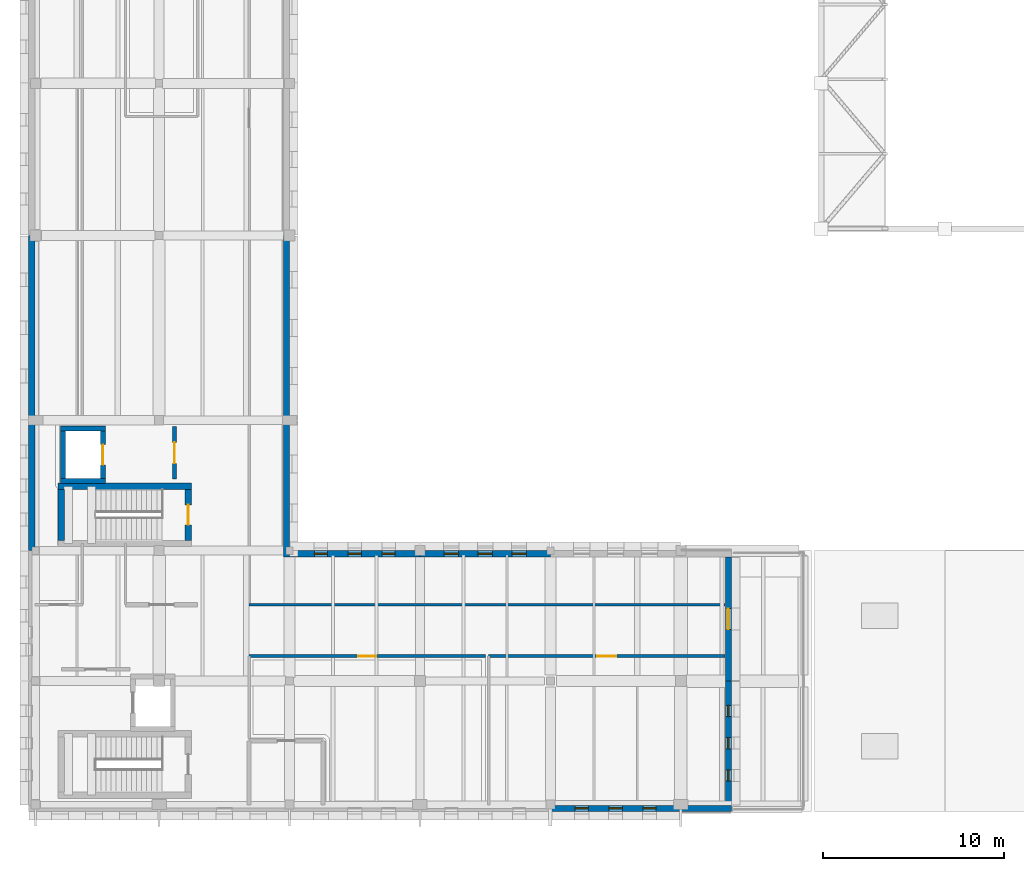
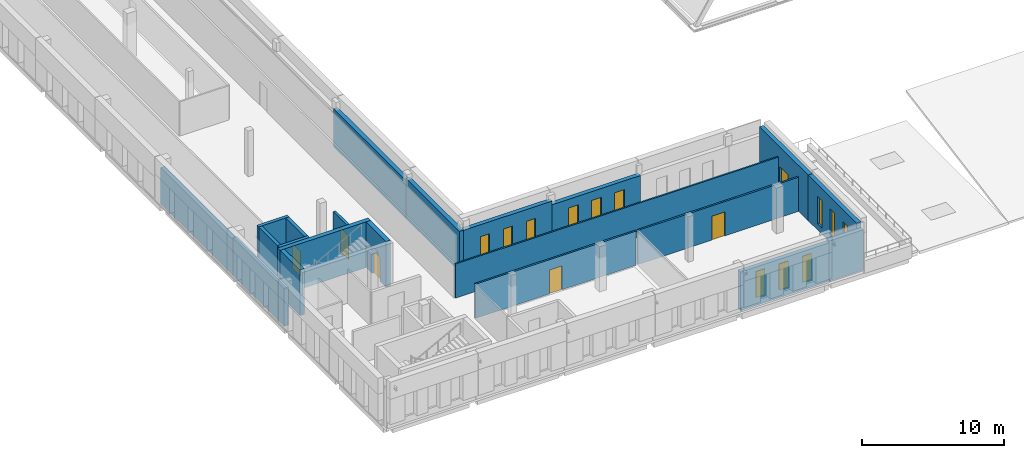
# One storey, part 37 of 56: 21 walls, 12 windows, 6 doors, 18 openings.
"""IFC4 building model written with IfcOpenShell, lengths in metres."""

from ifc_helpers import new_model, si_unit, direction, frame, frame_2d, origin, place, context, subcontext, project, spatial, rectangle, extrude, material, layer, layer_set, type_object, element, fill, save


model = new_model("IFC4")

# Units and contexts
model_context = context("Model", 3, precision=1e-05, world=origin(), true_north=direction((0.0, 1.0)))
body_context = subcontext(model_context, "Body", "Model", "MODEL_VIEW")
ifc_project = project(units=[si_unit("LENGTHUNIT", "METRE"), si_unit("AREAUNIT", "SQUARE_METRE"), si_unit("VOLUMEUNIT", "CUBIC_METRE"), si_unit("PLANEANGLEUNIT", "RADIAN"), si_unit("MASSUNIT", "GRAM", prefix="KILO")], contexts=[model_context])

# Site, building, storey
site_placement = place(None, origin())
site = spatial("IfcSite", under=ifc_project, at=site_placement, CompositionType="ELEMENT")
building_placement = place(site_placement, origin())
building = spatial("IfcBuilding", under=site, at=building_placement, Name="Vardoun Plaza Health Centre", CompositionType="ELEMENT")
storey_placement = place(building_placement, frame((0.0, 0.0, 8.699951171875)))
storey = spatial("IfcBuildingStorey", under=building, at=storey_placement, Name="L02", CompositionType="ELEMENT", Elevation=8.699951171875)

# Walls
ifc_material_1 = material(Name="Concrete C40/50", Category="concrete")
ifc_layer_1 = layer(ifc_material_1, 0.27001953125)
ifc_layer_set_1 = layer_set([ifc_layer_1], Name="Concrete C40/50")
wall_type_1 = type_object("IfcWallType", Name="SW-03", PredefinedType="SHEAR", material=ifc_layer_set_1)
wall_1_placement = place(storey_placement, frame((8.735107421875, 22.75, 0.0), z_axis=(0.0, 0.0, 1.0), x_axis=(-1.0, 0.0, 0.0)))
element("IfcWall", 1, at=wall_1_placement, inside=storey, type_object=wall_type_1, Name="Lift LF-02 L02 Shaft Wall S", PredefinedType="SHEAR", context=body_context, shape_type="SweptSolid", body=[
    extrude(rectangle(XDim=2.47021484375, YDim=0.27001953125, at=frame_2d((1.235107421875, 0.0))), origin(), (0.0, 0.0, 1.0), 3.920166015625),
])
wall_2_placement = place(storey_placement, frame((6.39990234375, 22.885009765625, 0.0), z_axis=(0.0, 0.0, 1.0), x_axis=(0.0, 1.0, 0.0)))
element("IfcWall", 2, at=wall_2_placement, inside=storey, type_object=wall_type_1, Name="Lift LF-02 L02 Shaft Wall W", PredefinedType="SHEAR", context=body_context, shape_type="SweptSolid", body=[
    extrude(rectangle(XDim=2.6298828125, YDim=0.27001953125, at=frame_2d((1.31494140625, 0.0))), origin(), (0.0, 0.0, 1.0), 3.920166015625),
])
wall_3_placement = place(storey_placement, frame((6.264892578125, 25.64990234375, 0.0), z_axis=(0.0, 0.0, 1.0), x_axis=(1.0, 0.0, 0.0)))
element("IfcWall", 3, at=wall_3_placement, inside=storey, type_object=wall_type_1, Name="Lift LF-02 L02 Shaft Wall N", PredefinedType="SHEAR", context=body_context, shape_type="SweptSolid", body=[
    extrude(rectangle(XDim=2.47021484375, YDim=0.27001953125, at=frame_2d((1.235107421875, 0.0))), origin(), (0.0, 0.0, 1.0), 3.920166015625),
])

# Wall, opening, door
wall_4_placement = place(storey_placement, frame((8.60009765625, 25.514892578125, 0.0), z_axis=(0.0, 0.0, 1.0), x_axis=(0.0, -1.0, 0.0)))
wall_4 = element("IfcWall", 4, at=wall_4_placement, inside=storey, type_object=wall_type_1, Name="Lift LF-02 L02 Shaft Wall E", PredefinedType="SHEAR", context=body_context, shape_type="SweptSolid", body=[
    extrude(rectangle(XDim=2.6298828125, YDim=0.27001953125, at=frame_2d((1.31494140625, 0.0))), origin(), (0.0, 0.0, 1.0), 3.920166015625),
])
opening_1_placement = place(wall_4_placement, frame((0.7548828125, 0.0, 0.0)))
opening_1 = element("IfcOpeningElement", 5, at=opening_1_placement, cuts=wall_4, Name="Opening LD-LF-02-L02", PredefinedType="OPENING", context=body_context, shape_type="SweptSolid", body=[
    extrude(rectangle(XDim=1.1201171875, YDim=2.10009765625, at=frame_2d((0.56005859375, 1.050048828125))), frame((0.0, 0.135009765625, 0.0), z_axis=(0.0, -1.0, 0.0), x_axis=(1.0, 0.0, 0.0)), (0.0, 0.0, 1.0), 0.27001953125),
])
ifc_material_2 = material(Name="Brushed Stainless Steel Grade 316L", Category="steel")
door_type_1 = type_object("IfcDoorType", Name="LD-01", OperationType="DOUBLE_DOOR_SLIDING", PredefinedType="DOOR", material=ifc_material_2)
door_1_placement = place(opening_1_placement, origin())
door_1 = element("IfcDoor", 6, at=door_1_placement, inside=storey, type_object=door_type_1, Name="Lift LF-02 L02 Sliding Landing Door", OperationType="DOUBLE_DOOR_SLIDING", OverallHeight=2.10009765625, OverallWidth=1.1201171875, PredefinedType="DOOR", context=body_context, shape_type="SweptSolid", body=[
    extrude(rectangle(XDim=1.1201171875, YDim=2.10009765625, at=frame_2d((0.56005859375, 1.050048828125))), frame((0.0, 0.02490234375, 0.0), z_axis=(0.0, -1.0, 0.0), x_axis=(1.0, 0.0, 0.0)), (0.0, 0.0, 1.0), 0.050048828125),
])
fill(opening_1, door_1)

# Walls
ifc_material_3 = material(Name="Concrete C40/50", Category="concrete")
ifc_layer_2 = layer(ifc_material_3, 0.35009765625)
ifc_layer_set_2 = layer_set([ifc_layer_2], Name="Concrete C40/50")
wall_type_2 = type_object("IfcWallType", Name="SW-02", PredefinedType="SHEAR", material=ifc_layer_set_2)
wall_5_placement = place(storey_placement, frame((6.300048828125, 19.47509765625, 0.0), z_axis=(0.0, 0.0, 1.0), x_axis=(0.0, 1.0, 0.0)))
element("IfcWall", 7, at=wall_5_placement, inside=storey, type_object=wall_type_2, Name="Core C2 L02 Shear Wall W", PredefinedType="SHEAR", context=body_context, shape_type="SweptSolid", body=[
    extrude(rectangle(XDim=2.7998046875, YDim=0.35009765625, at=frame_2d((1.39990234375, 0.0))), origin(), (0.0, 0.0, 1.0), 3.920166015625),
])
wall_6_placement = place(storey_placement, frame((6.125, 22.449951171875, 0.0), z_axis=(0.0, 0.0, 1.0), x_axis=(1.0, 0.0, 0.0)))
element("IfcWall", 8, at=wall_6_placement, inside=storey, type_object=wall_type_2, Name="Core C2 L02 Shear Wall N", PredefinedType="SHEAR", context=body_context, shape_type="SweptSolid", body=[
    extrude(rectangle(XDim=7.35009765625, YDim=0.35009765625, at=frame_2d((3.675048828125, 0.0))), origin(), (0.0, 0.0, 1.0), 3.920166015625),
])

# Wall, opening, door
wall_7_placement = place(storey_placement, frame((13.300048828125, 22.27490234375, 0.0), z_axis=(0.0, 0.0, 1.0), x_axis=(0.0, -1.0, 0.0)))
wall_7 = element("IfcWall", 9, at=wall_7_placement, inside=storey, type_object=wall_type_2, Name="Core C2 L02 Shear Wall E", PredefinedType="SHEAR", context=body_context, shape_type="SweptSolid", body=[
    extrude(rectangle(XDim=2.7998046875, YDim=0.35009765625, at=frame_2d((1.39990234375, 0.0))), origin(), (0.0, 0.0, 1.0), 3.920166015625),
])
opening_2_placement = place(wall_7_placement, frame((0.85009765625, 0.0, 0.0)))
opening_2 = element("IfcOpeningElement", 10, at=opening_2_placement, cuts=wall_7, Name="Opening SD-C2-L02", PredefinedType="OPENING", context=body_context, shape_type="SweptSolid", body=[
    extrude(rectangle(XDim=1.10009765625, YDim=2.050048828125, at=frame_2d((0.550048828125, 1.02490234375))), frame((0.0, 0.175048828125, 0.0), z_axis=(0.0, -1.0, 0.0), x_axis=(1.0, 0.0, 0.0)), (0.0, 0.0, 1.0), 0.35009765625),
])
ifc_material_4 = material(Name="Brushed Stainless Steel Grade 316L", Category="steel")
door_type_2 = type_object("IfcDoorType", Name="FD-01", OperationType="NOTDEFINED", PredefinedType="DOOR", material=ifc_material_4)
door_2_placement = place(opening_2_placement, origin())
door_2 = element("IfcDoor", 11, at=door_2_placement, inside=storey, type_object=door_type_2, Name="Stair C2 L02 Fire Door", OperationType="SINGLE_SWING_LEFT", OverallHeight=2.050048828125, OverallWidth=1.10009765625, PredefinedType="DOOR", context=body_context, shape_type="SweptSolid", body=[
    extrude(rectangle(XDim=1.10009765625, YDim=2.050048828125, at=frame_2d((0.550048828125, 1.02490234375))), frame((0.0, 0.02490234375, 0.0), z_axis=(0.0, -1.0, 0.0), x_axis=(1.0, 0.0, 0.0)), (0.0, 0.0, 1.0), 0.050048828125),
])
fill(opening_2, door_2)

# Walls
ifc_material_5 = material(Name="Pale Limestone Concrete C35/45", Category="masonry")
ifc_layer_3 = layer(ifc_material_5, 0.344970703125)
ifc_layer_set_3 = layer_set([ifc_layer_3], Name="Pale Limestone Concrete C35/45")
wall_type_3 = type_object("IfcWallType", Name="EW-01", PredefinedType="SOLIDWALL", material=ifc_layer_set_3)
wall_8_placement = place(storey_placement, frame((18.7275390625, 36.300048828125, 0.0), z_axis=(0.0, 0.0, 1.0), x_axis=(0.0, -1.0, 0.0)))
element("IfcWall", 12, at=wall_8_placement, inside=storey, type_object=wall_type_3, Name="V2 L02 Exterior Wall EW-V2-132", PredefinedType="SOLIDWALL", context=body_context, shape_type="SweptSolid", body=[
    extrude(rectangle(XDim=10.199951171875, YDim=0.344970703125, at=frame_2d((5.10009765625, 0.0))), origin(), (0.0, 0.0, 1.0), 3.255126953125),
])
wall_9_placement = place(storey_placement, frame((18.7275390625, 26.10009765625, 0.0), z_axis=(0.0, 0.0, 1.0), x_axis=(0.0, -1.0, 0.0)))
element("IfcWall", 13, at=wall_9_placement, inside=storey, type_object=wall_type_3, Name="V2 L02 Exterior Wall EW-V2-133", PredefinedType="SOLIDWALL", context=body_context, shape_type="SweptSolid", body=[
    extrude(rectangle(XDim=7.545166015625, YDim=0.344970703125, at=frame_2d((3.7724609375, 0.0))), origin(), (0.0, 0.0, 1.0), 3.455078125),
])

# Wall, openings, windows
wall_10_placement = place(storey_placement, frame((18.89990234375, 18.7275390625, 0.0), z_axis=(0.0, 0.0, 1.0), x_axis=(1.0, 0.0, 0.0)))
wall_10 = element("IfcWall", 14, at=wall_10_placement, inside=storey, type_object=wall_type_3, Name="V2 L02 Exterior Wall EW-V2-134", PredefinedType="SOLIDWALL", context=body_context, shape_type="SweptSolid", body=[
    extrude(rectangle(XDim=7.2001953125, YDim=0.344970703125, at=frame_2d((3.60009765625, 0.0))), origin(), (0.0, 0.0, 1.0), 3.425048828125),
])
opening_3_placement = place(wall_10_placement, frame((1.367919921875, 0.0, 0.550048828125)))
opening_3 = element("IfcOpeningElement", 15, at=opening_3_placement, cuts=wall_10, Name="Opening W-26-001", PredefinedType="OPENING", context=body_context, shape_type="SweptSolid", body=[
    extrude(rectangle(XDim=0.719970703125, YDim=1.85009765625, at=frame_2d((0.35986328125, 0.925048828125))), frame((0.0, 0.17236328125, 0.0), z_axis=(0.0, -1.0, 0.0), x_axis=(1.0, 0.0, 0.0)), (0.0, 0.0, 1.0), 0.344970703125),
])
opening_4_placement = place(wall_10_placement, frame((3.239990234375, 0.0, 0.550048828125)))
opening_4 = element("IfcOpeningElement", 16, at=opening_4_placement, cuts=wall_10, Name="Opening W-26-002", PredefinedType="OPENING", context=body_context, shape_type="SweptSolid", body=[
    extrude(rectangle(XDim=0.719970703125, YDim=1.85009765625, at=frame_2d((0.35986328125, 0.925048828125))), frame((0.0, 0.17236328125, 0.0), z_axis=(0.0, -1.0, 0.0), x_axis=(1.0, 0.0, 0.0)), (0.0, 0.0, 1.0), 0.344970703125),
])
opening_5_placement = place(wall_10_placement, frame((5.112060546875, 0.0, 0.550048828125)))
opening_5 = element("IfcOpeningElement", 17, at=opening_5_placement, cuts=wall_10, Name="Opening W-26-003", PredefinedType="OPENING", context=body_context, shape_type="SweptSolid", body=[
    extrude(rectangle(XDim=0.719970703125, YDim=1.85009765625, at=frame_2d((0.35986328125, 0.925048828125))), frame((0.0, 0.17236328125, 0.0), z_axis=(0.0, -1.0, 0.0), x_axis=(1.0, 0.0, 0.0)), (0.0, 0.0, 1.0), 0.344970703125),
])
ifc_material_6 = material(Name="Aluminium Alloy EN AW-6063-T6 and Low-E Glass", Category="aluminium")
window_type_1 = type_object("IfcWindowType", Name="W-26", PartitioningType="SINGLE_PANEL", PredefinedType="WINDOW", material=ifc_material_6)
window_1_placement = place(opening_3_placement, origin())
window_1 = element("IfcWindow", 18, at=window_1_placement, inside=storey, type_object=window_type_1, Name="V2 L02 Deep-Punched Slot Window W-26-127", OverallHeight=1.85009765625, OverallWidth=0.719970703125, PartitioningType="SINGLE_PANEL", PredefinedType="WINDOW", context=body_context, shape_type="SweptSolid", body=[
    extrude(rectangle(XDim=0.719970703125, YDim=1.85009765625, at=frame_2d((0.35986328125, 0.925048828125))), frame((0.0, 0.030029296875, 0.0), z_axis=(0.0, -1.0, 0.0), x_axis=(1.0, 0.0, 0.0)), (0.0, 0.0, 1.0), 0.06005859375),
])
fill(opening_3, window_1)
window_2_placement = place(opening_4_placement, origin())
window_2 = element("IfcWindow", 19, at=window_2_placement, inside=storey, type_object=window_type_1, Name="V2 L02 Deep-Punched Slot Window W-26-128", OverallHeight=1.85009765625, OverallWidth=0.719970703125, PartitioningType="SINGLE_PANEL", PredefinedType="WINDOW", context=body_context, shape_type="SweptSolid", body=[
    extrude(rectangle(XDim=0.719970703125, YDim=1.85009765625, at=frame_2d((0.35986328125, 0.925048828125))), frame((0.0, 0.030029296875, 0.0), z_axis=(0.0, -1.0, 0.0), x_axis=(1.0, 0.0, 0.0)), (0.0, 0.0, 1.0), 0.06005859375),
])
fill(opening_4, window_2)
window_3_placement = place(opening_5_placement, origin())
window_3 = element("IfcWindow", 20, at=window_3_placement, inside=storey, type_object=window_type_1, Name="V2 L02 Deep-Punched Slot Window W-26-129", OverallHeight=1.85009765625, OverallWidth=0.719970703125, PartitioningType="SINGLE_PANEL", PredefinedType="WINDOW", context=body_context, shape_type="SweptSolid", body=[
    extrude(rectangle(XDim=0.719970703125, YDim=1.85009765625, at=frame_2d((0.35986328125, 0.925048828125))), frame((0.0, 0.030029296875, 0.0), z_axis=(0.0, -1.0, 0.0), x_axis=(1.0, 0.0, 0.0)), (0.0, 0.0, 1.0), 0.06005859375),
])
fill(opening_5, window_3)

wall_11_placement = place(storey_placement, frame((26.10009765625, 18.7275390625, 0.0), z_axis=(0.0, 0.0, 1.0), x_axis=(1.0, 0.0, 0.0)))
wall_11 = element("IfcWall", 21, at=wall_11_placement, inside=storey, type_object=wall_type_3, Name="V2 L02 Exterior Wall EW-V2-135", PredefinedType="SOLIDWALL", context=body_context, shape_type="SweptSolid", body=[
    extrude(rectangle(XDim=7.199951171875, YDim=0.344970703125, at=frame_2d((3.60009765625, 0.0))), origin(), (0.0, 0.0, 1.0), 3.10498046875),
])
opening_6_placement = place(wall_11_placement, frame((1.327880859375, 0.0, 0.550048828125)))
opening_6 = element("IfcOpeningElement", 22, at=opening_6_placement, cuts=wall_11, Name="Opening W-27-006", PredefinedType="OPENING", context=body_context, shape_type="SweptSolid", body=[
    extrude(rectangle(XDim=0.800048828125, YDim=1.800048828125, at=frame_2d((0.39990234375, 0.89990234375))), frame((0.0, 0.17236328125, 0.0), z_axis=(0.0, -1.0, 0.0), x_axis=(1.0, 0.0, 0.0)), (0.0, 0.0, 1.0), 0.344970703125),
])
opening_7_placement = place(wall_11_placement, frame((3.199951171875, 0.0, 0.550048828125)))
opening_7 = element("IfcOpeningElement", 23, at=opening_7_placement, cuts=wall_11, Name="Opening W-27-007", PredefinedType="OPENING", context=body_context, shape_type="SweptSolid", body=[
    extrude(rectangle(XDim=0.800048828125, YDim=1.800048828125, at=frame_2d((0.39990234375, 0.89990234375))), frame((0.0, 0.17236328125, 0.0), z_axis=(0.0, -1.0, 0.0), x_axis=(1.0, 0.0, 0.0)), (0.0, 0.0, 1.0), 0.344970703125),
])
opening_8_placement = place(wall_11_placement, frame((5.072021484375, 0.0, 0.550048828125)))
opening_8 = element("IfcOpeningElement", 24, at=opening_8_placement, cuts=wall_11, Name="Opening W-27-008", PredefinedType="OPENING", context=body_context, shape_type="SweptSolid", body=[
    extrude(rectangle(XDim=0.800048828125, YDim=1.800048828125, at=frame_2d((0.39990234375, 0.89990234375))), frame((0.0, 0.17236328125, 0.0), z_axis=(0.0, -1.0, 0.0), x_axis=(1.0, 0.0, 0.0)), (0.0, 0.0, 1.0), 0.344970703125),
])
ifc_material_7 = material(Name="Aluminium Alloy EN AW-6063-T6 and Low-E Glass", Category="aluminium")
window_type_2 = type_object("IfcWindowType", Name="W-27", PartitioningType="SINGLE_PANEL", PredefinedType="WINDOW", material=ifc_material_7)
window_4_placement = place(opening_6_placement, origin())
window_4 = element("IfcWindow", 25, at=window_4_placement, inside=storey, type_object=window_type_2, Name="V2 L02 Deep-Punched Slot Window W-27-130", OverallHeight=1.800048828125, OverallWidth=0.800048828125, PartitioningType="SINGLE_PANEL", PredefinedType="WINDOW", context=body_context, shape_type="SweptSolid", body=[
    extrude(rectangle(XDim=0.800048828125, YDim=1.800048828125, at=frame_2d((0.39990234375, 0.89990234375))), frame((0.0, 0.030029296875, 0.0), z_axis=(0.0, -1.0, 0.0), x_axis=(1.0, 0.0, 0.0)), (0.0, 0.0, 1.0), 0.06005859375),
])
fill(opening_6, window_4)
window_5_placement = place(opening_7_placement, origin())
window_5 = element("IfcWindow", 26, at=window_5_placement, inside=storey, type_object=window_type_2, Name="V2 L02 Deep-Punched Slot Window W-27-131", OverallHeight=1.800048828125, OverallWidth=0.800048828125, PartitioningType="SINGLE_PANEL", PredefinedType="WINDOW", context=body_context, shape_type="SweptSolid", body=[
    extrude(rectangle(XDim=0.800048828125, YDim=1.800048828125, at=frame_2d((0.39990234375, 0.89990234375))), frame((0.0, 0.030029296875, 0.0), z_axis=(0.0, -1.0, 0.0), x_axis=(1.0, 0.0, 0.0)), (0.0, 0.0, 1.0), 0.06005859375),
])
fill(opening_7, window_5)
window_6_placement = place(opening_8_placement, origin())
window_6 = element("IfcWindow", 27, at=window_6_placement, inside=storey, type_object=window_type_2, Name="V2 L02 Deep-Punched Slot Window W-27-132", OverallHeight=1.800048828125, OverallWidth=0.800048828125, PartitioningType="SINGLE_PANEL", PredefinedType="WINDOW", context=body_context, shape_type="SweptSolid", body=[
    extrude(rectangle(XDim=0.800048828125, YDim=1.800048828125, at=frame_2d((0.39990234375, 0.89990234375))), frame((0.0, 0.030029296875, 0.0), z_axis=(0.0, -1.0, 0.0), x_axis=(1.0, 0.0, 0.0)), (0.0, 0.0, 1.0), 0.06005859375),
])
fill(opening_8, window_6)

# Wall, opening, door
wall_12_placement = place(storey_placement, frame((43.12744140625, 18.554931640625, 0.0), z_axis=(0.0, 0.0, 1.0), x_axis=(0.0, -1.0, 0.0)))
wall_12 = element("IfcWall", 28, at=wall_12_placement, inside=storey, type_object=wall_type_3, Name="V2 L02 Exterior Wall EW-V2-138", PredefinedType="SOLIDWALL", context=body_context, shape_type="SweptSolid", body=[
    extrude(rectangle(XDim=6.85498046875, YDim=0.344970703125, at=frame_2d((3.427490234375, 0.0))), origin(), (0.0, 0.0, 1.0), 3.920166015625),
])
opening_9_placement = place(wall_12_placement, frame((2.8525390625, 0.0, 0.18994140625)))
opening_9 = element("IfcOpeningElement", 29, at=opening_9_placement, cuts=wall_12, Name="Opening TD-V2-L02-2", PredefinedType="OPENING", context=body_context, shape_type="SweptSolid", body=[
    extrude(rectangle(XDim=1.14990234375, YDim=2.02001953125, at=frame_2d((0.574951171875, 1.010009765625))), frame((0.0, 0.17236328125, 0.0), z_axis=(0.0, -1.0, 0.0), x_axis=(1.0, 0.0, 0.0)), (0.0, 0.0, 1.0), 0.344970703125),
])
ifc_material_8 = material(Name="Aluminium Alloy EN AW-6063-T6 Terrace Door", Category="aluminium")
door_type_3 = type_object("IfcDoorType", Name="ED-04", OperationType="NOTDEFINED", PredefinedType="DOOR", material=ifc_material_8)
door_3_placement = place(opening_9_placement, origin())
door_3 = element("IfcDoor", 30, at=door_3_placement, inside=storey, type_object=door_type_3, Name="V2 L02 Roof-Garden Terrace Door 2", OperationType="SINGLE_SWING_LEFT", OverallHeight=2.02001953125, OverallWidth=1.14990234375, PredefinedType="DOOR", context=body_context, shape_type="SweptSolid", body=[
    extrude(rectangle(XDim=1.14990234375, YDim=2.02001953125, at=frame_2d((0.574951171875, 1.010009765625))), frame((0.0, 0.02490234375, 0.0), z_axis=(0.0, -1.0, 0.0), x_axis=(1.0, 0.0, 0.0)), (0.0, 0.0, 1.0), 0.050048828125),
])
fill(opening_9, door_3)

# Wall, openings, windows
wall_13_placement = place(storey_placement, frame((43.12744140625, 11.699951171875, 0.0), z_axis=(0.0, 0.0, 1.0), x_axis=(0.0, -1.0, 0.0)))
wall_13 = element("IfcWall", 31, at=wall_13_placement, inside=storey, type_object=wall_type_3, Name="V2 L02 Exterior Wall EW-V2-139", PredefinedType="SOLIDWALL", context=body_context, shape_type="SweptSolid", body=[
    extrude(rectangle(XDim=6.85498046875, YDim=0.344970703125, at=frame_2d((3.427490234375, 0.0))), origin(), (0.0, 0.0, 1.0), 3.920166015625),
])
opening_10_placement = place(wall_13_placement, frame((1.335205078125, 0.0, 0.550048828125)))
opening_10 = element("IfcOpeningElement", 32, at=opening_10_placement, cuts=wall_13, Name="Opening W-02-004", PredefinedType="OPENING", context=body_context, shape_type="SweptSolid", body=[
    extrude(rectangle(XDim=0.6201171875, YDim=2.35009765625, at=frame_2d((0.31005859375, 1.175048828125))), frame((0.0, 0.17236328125, 0.0), z_axis=(0.0, -1.0, 0.0), x_axis=(1.0, 0.0, 0.0)), (0.0, 0.0, 1.0), 0.344970703125),
])
opening_11_placement = place(wall_13_placement, frame((3.117431640625, 0.0, 0.550048828125)))
opening_11 = element("IfcOpeningElement", 33, at=opening_11_placement, cuts=wall_13, Name="Opening W-02-005", PredefinedType="OPENING", context=body_context, shape_type="SweptSolid", body=[
    extrude(rectangle(XDim=0.6201171875, YDim=2.35009765625, at=frame_2d((0.31005859375, 1.175048828125))), frame((0.0, 0.17236328125, 0.0), z_axis=(0.0, -1.0, 0.0), x_axis=(1.0, 0.0, 0.0)), (0.0, 0.0, 1.0), 0.344970703125),
])
opening_12_placement = place(wall_13_placement, frame((4.89990234375, 0.0, 0.550048828125)))
opening_12 = element("IfcOpeningElement", 34, at=opening_12_placement, cuts=wall_13, Name="Opening W-02-006", PredefinedType="OPENING", context=body_context, shape_type="SweptSolid", body=[
    extrude(rectangle(XDim=0.6201171875, YDim=2.35009765625, at=frame_2d((0.31005859375, 1.175048828125))), frame((0.0, 0.17236328125, 0.0), z_axis=(0.0, -1.0, 0.0), x_axis=(1.0, 0.0, 0.0)), (0.0, 0.0, 1.0), 0.344970703125),
])
ifc_material_9 = material(Name="Aluminium Alloy EN AW-6063-T6 and Low-E Glass", Category="aluminium")
window_type_3 = type_object("IfcWindowType", Name="W-02", PartitioningType="SINGLE_PANEL", PredefinedType="WINDOW", material=ifc_material_9)
window_7_placement = place(opening_10_placement, origin())
window_7 = element("IfcWindow", 35, at=window_7_placement, inside=storey, type_object=window_type_3, Name="V2 L02 Deep-Punched Slot Window W-02-136", OverallHeight=2.35009765625, OverallWidth=0.6201171875, PartitioningType="SINGLE_PANEL", PredefinedType="WINDOW", context=body_context, shape_type="SweptSolid", body=[
    extrude(rectangle(XDim=0.6201171875, YDim=2.35009765625, at=frame_2d((0.31005859375, 1.175048828125))), frame((0.0, 0.030029296875, 0.0), z_axis=(0.0, -1.0, 0.0), x_axis=(1.0, 0.0, 0.0)), (0.0, 0.0, 1.0), 0.06005859375),
])
fill(opening_10, window_7)
window_8_placement = place(opening_11_placement, origin())
window_8 = element("IfcWindow", 36, at=window_8_placement, inside=storey, type_object=window_type_3, Name="V2 L02 Deep-Punched Slot Window W-02-137", OverallHeight=2.35009765625, OverallWidth=0.6201171875, PartitioningType="SINGLE_PANEL", PredefinedType="WINDOW", context=body_context, shape_type="SweptSolid", body=[
    extrude(rectangle(XDim=0.6201171875, YDim=2.35009765625, at=frame_2d((0.31005859375, 1.175048828125))), frame((0.0, 0.030029296875, 0.0), z_axis=(0.0, -1.0, 0.0), x_axis=(1.0, 0.0, 0.0)), (0.0, 0.0, 1.0), 0.06005859375),
])
fill(opening_11, window_8)
window_9_placement = place(opening_12_placement, origin())
window_9 = element("IfcWindow", 37, at=window_9_placement, inside=storey, type_object=window_type_3, Name="V2 L02 Deep-Punched Slot Window W-02-138", OverallHeight=2.35009765625, OverallWidth=0.6201171875, PartitioningType="SINGLE_PANEL", PredefinedType="WINDOW", context=body_context, shape_type="SweptSolid", body=[
    extrude(rectangle(XDim=0.6201171875, YDim=2.35009765625, at=frame_2d((0.31005859375, 1.175048828125))), frame((0.0, 0.030029296875, 0.0), z_axis=(0.0, -1.0, 0.0), x_axis=(1.0, 0.0, 0.0)), (0.0, 0.0, 1.0), 0.06005859375),
])
fill(opening_12, window_9)

# Wall
wall_14_placement = place(storey_placement, frame((43.300048828125, 4.672607421875, 0.0), z_axis=(0.0, 0.0, 1.0), x_axis=(-1.0, 0.0, 0.0)))
element("IfcWall", 38, at=wall_14_placement, inside=storey, type_object=wall_type_3, Name="V2 L02 Exterior Wall EW-V2-140", PredefinedType="SOLIDWALL", context=body_context, shape_type="SweptSolid", body=[
    extrude(rectangle(XDim=2.800048828125, YDim=0.344970703125, at=frame_2d((1.39990234375, 0.0))), origin(), (0.0, 0.0, 1.0), 3.455078125),
])

# Wall, openings, windows
wall_15_placement = place(storey_placement, frame((40.5, 4.672607421875, 0.0), z_axis=(0.0, 0.0, 1.0), x_axis=(-1.0, 0.0, 0.0)))
wall_15 = element("IfcWall", 39, at=wall_15_placement, inside=storey, type_object=wall_type_3, Name="V2 L02 Exterior Wall EW-V2-141", PredefinedType="SOLIDWALL", context=body_context, shape_type="SweptSolid", body=[
    extrude(rectangle(XDim=7.199951171875, YDim=0.344970703125, at=frame_2d((3.60009765625, 0.0))), origin(), (0.0, 0.0, 1.0), 3.304931640625),
])
opening_13_placement = place(wall_15_placement, frame((1.35791015625, 0.0, 0.550048828125)))
opening_13 = element("IfcOpeningElement", 40, at=opening_13_placement, cuts=wall_15, Name="Opening W-05-005", PredefinedType="OPENING", context=body_context, shape_type="SweptSolid", body=[
    extrude(rectangle(XDim=0.739990234375, YDim=2.25, at=frame_2d((0.3701171875, 1.125))), frame((0.0, 0.17236328125, 0.0), z_axis=(0.0, -1.0, 0.0), x_axis=(1.0, 0.0, 0.0)), (0.0, 0.0, 1.0), 0.344970703125),
])
opening_14_placement = place(wall_15_placement, frame((3.22998046875, 0.0, 0.550048828125)))
opening_14 = element("IfcOpeningElement", 41, at=opening_14_placement, cuts=wall_15, Name="Opening W-05-006", PredefinedType="OPENING", context=body_context, shape_type="SweptSolid", body=[
    extrude(rectangle(XDim=0.739990234375, YDim=2.25, at=frame_2d((0.3701171875, 1.125))), frame((0.0, 0.17236328125, 0.0), z_axis=(0.0, -1.0, 0.0), x_axis=(1.0, 0.0, 0.0)), (0.0, 0.0, 1.0), 0.344970703125),
])
opening_15_placement = place(wall_15_placement, frame((5.10205078125, 0.0, 0.550048828125)))
opening_15 = element("IfcOpeningElement", 42, at=opening_15_placement, cuts=wall_15, Name="Opening W-05-007", PredefinedType="OPENING", context=body_context, shape_type="SweptSolid", body=[
    extrude(rectangle(XDim=0.739990234375, YDim=2.25, at=frame_2d((0.3701171875, 1.125))), frame((0.0, 0.17236328125, 0.0), z_axis=(0.0, -1.0, 0.0), x_axis=(1.0, 0.0, 0.0)), (0.0, 0.0, 1.0), 0.344970703125),
])
ifc_material_10 = material(Name="Aluminium Alloy EN AW-6063-T6 and Low-E Glass", Category="aluminium")
window_type_4 = type_object("IfcWindowType", Name="W-05", PartitioningType="SINGLE_PANEL", PredefinedType="WINDOW", material=ifc_material_10)
window_10_placement = place(opening_13_placement, origin())
window_10 = element("IfcWindow", 43, at=window_10_placement, inside=storey, type_object=window_type_4, Name="V2 L02 Deep-Punched Slot Window W-05-139", OverallHeight=2.25, OverallWidth=0.739990234375, PartitioningType="SINGLE_PANEL", PredefinedType="WINDOW", context=body_context, shape_type="SweptSolid", body=[
    extrude(rectangle(XDim=0.739990234375, YDim=2.25, at=frame_2d((0.3701171875, 1.125))), frame((0.0, 0.030029296875, 0.0), z_axis=(0.0, -1.0, 0.0), x_axis=(1.0, 0.0, 0.0)), (0.0, 0.0, 1.0), 0.06005859375),
])
fill(opening_13, window_10)
window_11_placement = place(opening_14_placement, origin())
window_11 = element("IfcWindow", 44, at=window_11_placement, inside=storey, type_object=window_type_4, Name="V2 L02 Deep-Punched Slot Window W-05-140", OverallHeight=2.25, OverallWidth=0.739990234375, PartitioningType="SINGLE_PANEL", PredefinedType="WINDOW", context=body_context, shape_type="SweptSolid", body=[
    extrude(rectangle(XDim=0.739990234375, YDim=2.25, at=frame_2d((0.3701171875, 1.125))), frame((0.0, 0.030029296875, 0.0), z_axis=(0.0, -1.0, 0.0), x_axis=(1.0, 0.0, 0.0)), (0.0, 0.0, 1.0), 0.06005859375),
])
fill(opening_14, window_11)
window_12_placement = place(opening_15_placement, origin())
window_12 = element("IfcWindow", 45, at=window_12_placement, inside=storey, type_object=window_type_4, Name="V2 L02 Deep-Punched Slot Window W-05-141", OverallHeight=2.25, OverallWidth=0.739990234375, PartitioningType="SINGLE_PANEL", PredefinedType="WINDOW", context=body_context, shape_type="SweptSolid", body=[
    extrude(rectangle(XDim=0.739990234375, YDim=2.25, at=frame_2d((0.3701171875, 1.125))), frame((0.0, 0.030029296875, 0.0), z_axis=(0.0, -1.0, 0.0), x_axis=(1.0, 0.0, 0.0)), (0.0, 0.0, 1.0), 0.06005859375),
])
fill(opening_15, window_12)

# Walls
wall_16_placement = place(storey_placement, frame((4.672607421875, 18.89990234375, 0.0), z_axis=(0.0, 0.0, 1.0), x_axis=(0.0, 1.0, 0.0)))
element("IfcWall", 46, at=wall_16_placement, inside=storey, type_object=wall_type_3, Name="V2 L02 Exterior Wall EW-V2-148", PredefinedType="SOLIDWALL", context=body_context, shape_type="SweptSolid", body=[
    extrude(rectangle(XDim=7.2001953125, YDim=0.344970703125, at=frame_2d((3.60009765625, 0.0))), origin(), (0.0, 0.0, 1.0), 3.255126953125),
])
wall_17_placement = place(storey_placement, frame((4.672607421875, 26.10009765625, 0.0), z_axis=(0.0, 0.0, 1.0), x_axis=(0.0, 1.0, 0.0)))
element("IfcWall", 47, at=wall_17_placement, inside=storey, type_object=wall_type_3, Name="V2 L02 Exterior Wall EW-V2-149", PredefinedType="SOLIDWALL", context=body_context, shape_type="SweptSolid", body=[
    extrude(rectangle(XDim=10.199951171875, YDim=0.344970703125, at=frame_2d((5.10009765625, 0.0))), origin(), (0.0, 0.0, 1.0), 3.10498046875),
])

# Wall, opening, door
ifc_material_11 = material(Name="Acoustic Gypsum Twin-Stud", Category="steel")
ifc_layer_4 = layer(ifc_material_11, 0.14990234375)
ifc_layer_set_4 = layer_set([ifc_layer_4], Name="Acoustic Gypsum Twin-Stud")
wall_type_4 = type_object("IfcWallType", Name="IW-04", PredefinedType="PARTITIONING", material=ifc_layer_set_4)
wall_18_placement = place(storey_placement, frame((29.889892578125, 13.080078125, 0.0), z_axis=(0.0, 0.0, 1.0), x_axis=(1.0, 0.0, 0.0)))
wall_18 = element("IfcWall", 48, at=wall_18_placement, inside=storey, type_object=wall_type_4, Name="Specialist Consulting Room 23 Partition Wall", PredefinedType="PARTITIONING", context=body_context, shape_type="SweptSolid", body=[
    extrude(rectangle(XDim=13.06005859375, YDim=0.14990234375, at=frame_2d((6.530029296875, 0.0))), origin(), (0.0, 0.0, 1.0), 2.93994140625),
])
opening_16_placement = place(wall_18_placement, frame((6.010009765625, 0.0, 0.0)))
opening_16 = element("IfcOpeningElement", 49, at=opening_16_placement, cuts=wall_18, Name="Opening D-L02-047", PredefinedType="OPENING", context=body_context, shape_type="SweptSolid", body=[
    extrude(rectangle(XDim=1.0400390625, YDim=2.050048828125, at=frame_2d((0.52001953125, 1.02490234375))), frame((0.0, 0.074951171875, 0.0), z_axis=(0.0, -1.0, 0.0), x_axis=(1.0, 0.0, 0.0)), (0.0, 0.0, 1.0), 0.14990234375),
])
ifc_material_12 = material(Name="Antimicrobial Acoustic Timber and Steel S275JR", Category="steel")
door_type_4 = type_object("IfcDoorType", Name="CD-04", OperationType="NOTDEFINED", PredefinedType="DOOR", material=ifc_material_12)
door_4_placement = place(opening_16_placement, origin())
door_4 = element("IfcDoor", 50, at=door_4_placement, inside=storey, type_object=door_type_4, Name="Specialist Consulting Room 23 Door D-L02-047", OperationType="SINGLE_SWING_LEFT", OverallHeight=2.050048828125, OverallWidth=1.0400390625, PredefinedType="DOOR", context=body_context, shape_type="SweptSolid", body=[
    extrude(rectangle(XDim=1.0400390625, YDim=2.050048828125, at=frame_2d((0.52001953125, 1.02490234375))), frame((0.0, 0.02490234375, 0.0), z_axis=(0.0, -1.0, 0.0), x_axis=(1.0, 0.0, 0.0)), (0.0, 0.0, 1.0), 0.050048828125),
])
fill(opening_16, door_4)

wall_19_placement = place(storey_placement, frame((16.669921875, 13.080078125, 0.0), z_axis=(0.0, 0.0, 1.0), x_axis=(1.0, 0.0, 0.0)))
wall_19 = element("IfcWall", 51, at=wall_19_placement, inside=storey, type_object=wall_type_4, Name="Terrace Waiting Lounge L02 Partition Wall", PredefinedType="PARTITIONING", context=body_context, shape_type="SweptSolid", body=[
    extrude(rectangle(XDim=13.06005859375, YDim=0.14990234375, at=frame_2d((6.530029296875, 0.0))), origin(), (0.0, 0.0, 1.0), 2.93994140625),
])
opening_17_placement = place(wall_19_placement, frame((6.030029296875, 0.0, 0.0)))
opening_17 = element("IfcOpeningElement", 52, at=opening_17_placement, cuts=wall_19, Name="Opening D-L02-050", PredefinedType="OPENING", context=body_context, shape_type="SweptSolid", body=[
    extrude(rectangle(XDim=1.0, YDim=2.050048828125, at=frame_2d((0.5, 1.02490234375))), frame((0.0, 0.074951171875, 0.0), z_axis=(0.0, -1.0, 0.0), x_axis=(1.0, 0.0, 0.0)), (0.0, 0.0, 1.0), 0.14990234375),
])
ifc_material_13 = material(Name="Antimicrobial Acoustic Timber and Steel S275JR", Category="steel")
door_type_5 = type_object("IfcDoorType", Name="CD-03", OperationType="NOTDEFINED", PredefinedType="DOOR", material=ifc_material_13)
door_5_placement = place(opening_17_placement, origin())
door_5 = element("IfcDoor", 53, at=door_5_placement, inside=storey, type_object=door_type_5, Name="Terrace Waiting Lounge L02 Door D-L02-050", OperationType="SINGLE_SWING_RIGHT", OverallHeight=2.050048828125, OverallWidth=1.0, PredefinedType="DOOR", context=body_context, shape_type="SweptSolid", body=[
    extrude(rectangle(XDim=1.0, YDim=2.050048828125, at=frame_2d((0.5, 1.02490234375))), frame((0.0, 0.02490234375, 0.0), z_axis=(0.0, -1.0, 0.0), x_axis=(1.0, 0.0, 0.0)), (0.0, 0.0, 1.0), 0.050048828125),
])
fill(opening_17, door_5)

# Wall
ifc_material_14 = material(Name="Standard Clinical Sub-Partition", Category="steel")
ifc_layer_5 = layer(ifc_material_14, 0.125)
ifc_layer_set_5 = layer_set([ifc_layer_5], Name="Standard Clinical Sub-Partition")
wall_type_5 = type_object("IfcWallType", Name="IW-11", PredefinedType="PARTITIONING", material=ifc_layer_set_5)
wall_20_placement = place(storey_placement, frame((42.949951171875, 15.919921875, 0.0), z_axis=(0.0, 0.0, 1.0), x_axis=(-1.0, 0.0, 0.0)))
element("IfcWall", 54, at=wall_20_placement, inside=storey, type_object=wall_type_5, Name="Specialist Consulting Room 21 Enclosure Partition", PredefinedType="PARTITIONING", context=body_context, shape_type="SweptSolid", body=[
    extrude(rectangle(XDim=26.280029296875, YDim=0.125, at=frame_2d((13.14013671875, 0.0))), origin(), (0.0, 0.0, 1.0), 2.93994140625),
])

# Wall, opening, door
ifc_material_15 = material(Name="Concrete C35/45", Category="concrete")
ifc_layer_6 = layer(ifc_material_15, 0.199951171875)
ifc_layer_set_6 = layer_set([ifc_layer_6], Name="Concrete C35/45")
wall_type_6 = type_object("IfcWallType", Name="IW-01", PredefinedType="SOLIDWALL", material=ifc_layer_set_6)
wall_21_placement = place(storey_placement, frame((12.550048828125, 25.75, 0.0), z_axis=(0.0, 0.0, 1.0), x_axis=(0.0, -1.0, 0.0)))
wall_21 = element("IfcWall", 55, at=wall_21_placement, inside=storey, type_object=wall_type_6, Name="Firefighting Lobby C2 L02 Wall", PredefinedType="SOLIDWALL", context=body_context, shape_type="SweptSolid", body=[
    extrude(rectangle(XDim=2.89990234375, YDim=0.199951171875, at=frame_2d((1.449951171875, 0.0))), origin(), (0.0, 0.0, 1.0), 2.93994140625),
])
opening_18_placement = place(wall_21_placement, frame((0.875, 0.0, 0.0)))
opening_18 = element("IfcOpeningElement", 56, at=opening_18_placement, cuts=wall_21, Name="Opening FD-FF-C2-L02", PredefinedType="OPENING", context=body_context, shape_type="SweptSolid", body=[
    extrude(rectangle(XDim=1.14990234375, YDim=2.050048828125, at=frame_2d((0.574951171875, 1.02490234375))), frame((0.0, 0.10009765625, 0.0), z_axis=(0.0, -1.0, 0.0), x_axis=(1.0, 0.0, 0.0)), (0.0, 0.0, 1.0), 0.199951171875),
])
ifc_material_16 = material(Name="Antimicrobial Acoustic Timber and Steel S275JR", Category="steel")
door_type_6 = type_object("IfcDoorType", Name="FD-02", OperationType="NOTDEFINED", PredefinedType="DOOR", material=ifc_material_16)
door_6_placement = place(opening_18_placement, origin())
door_6 = element("IfcDoor", 57, at=door_6_placement, inside=storey, type_object=door_type_6, Name="Firefighting Lobby C2 L02 Fire Door", OperationType="SINGLE_SWING_RIGHT", OverallHeight=2.050048828125, OverallWidth=1.14990234375, PredefinedType="DOOR", context=body_context, shape_type="SweptSolid", body=[
    extrude(rectangle(XDim=1.14990234375, YDim=2.050048828125, at=frame_2d((0.574951171875, 1.02490234375))), frame((0.0, 0.02490234375, 0.0), z_axis=(0.0, -1.0, 0.0), x_axis=(1.0, 0.0, 0.0)), (0.0, 0.0, 1.0), 0.050048828125),
])
fill(opening_18, door_6)

save(model, "model.ifc")
